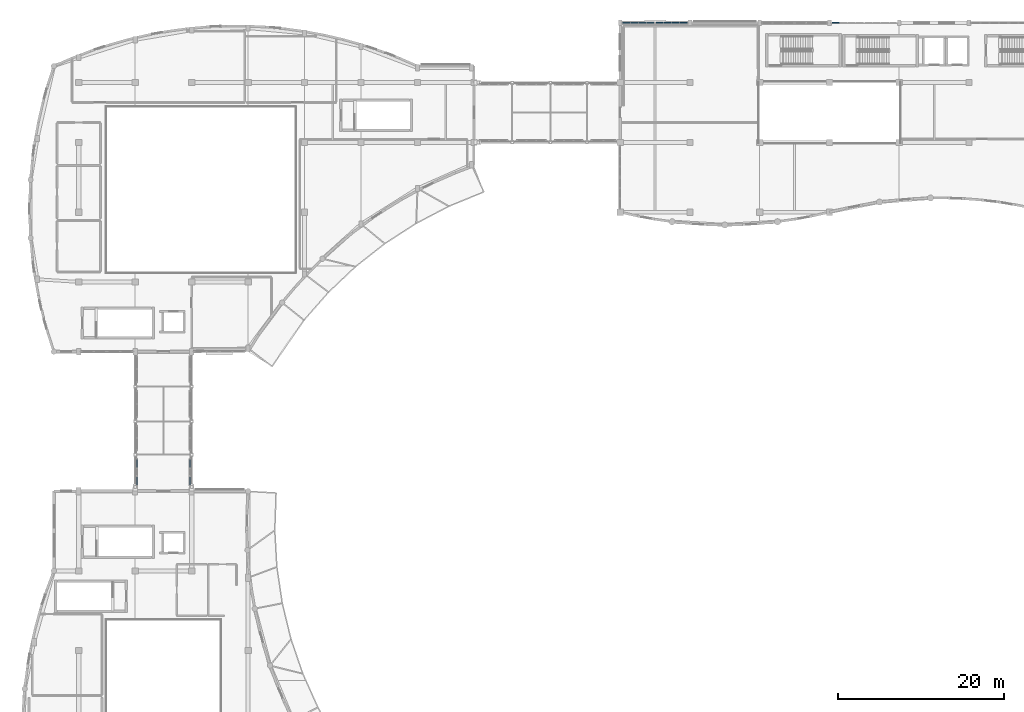
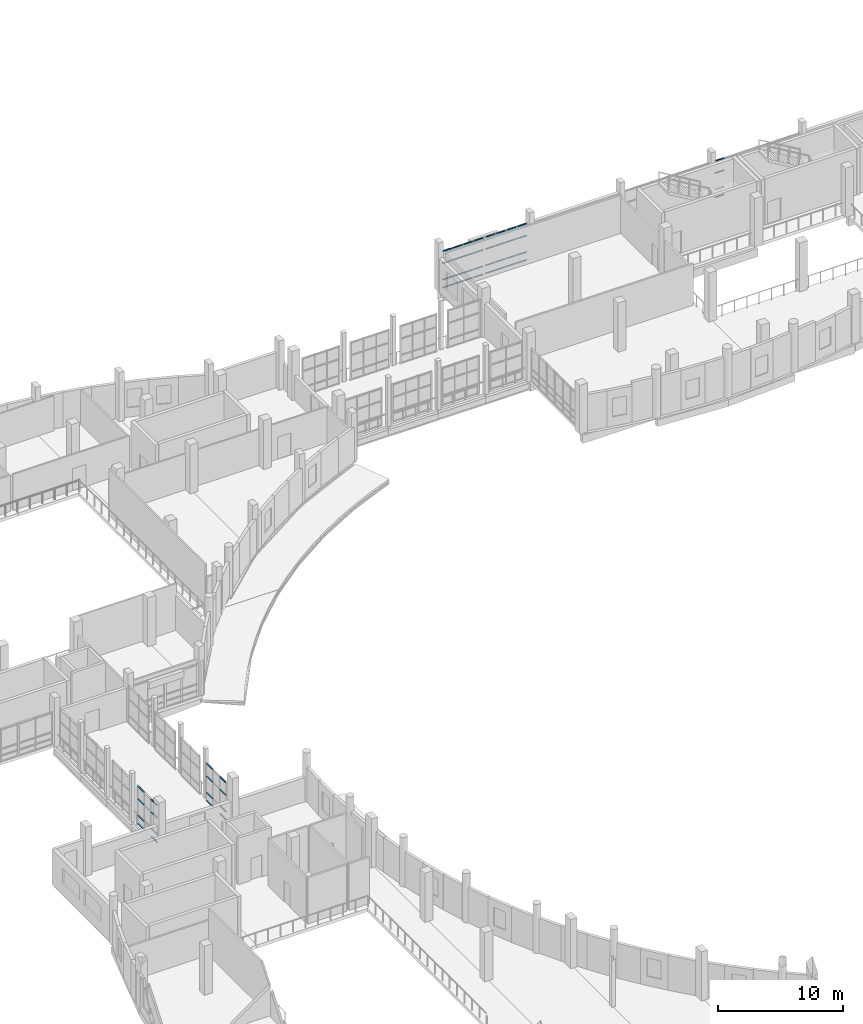
# One storey, part 63 of 106: 52 members, 5 elements without a shape of their own.
"""IFC4 building model written with IfcOpenShell, lengths in metres."""

from ifc_helpers import new_model, si_unit, direction, frame, origin, origin_2d, place, context, subcontext, project, spatial, hollow_rectangle, extrude, material, layer, layer_set, material_profile, profile_set, type_object, element, aggregate, save


model = new_model("IFC4")

# Units and contexts
model_context = context("Model", 3, precision=1e-05, world=origin(), true_north=direction((0.0, 1.0)))
body_context = subcontext(model_context, "Body", "Model", "MODEL_VIEW")
ifc_project = project(units=[si_unit("LENGTHUNIT", "METRE"), si_unit("AREAUNIT", "SQUARE_METRE"), si_unit("VOLUMEUNIT", "CUBIC_METRE"), si_unit("PLANEANGLEUNIT", "RADIAN"), si_unit("MASSUNIT", "GRAM", prefix="KILO")], contexts=[model_context])

# Site, building, storey
site_placement = place(None, origin())
site = spatial("IfcSite", under=ifc_project, at=site_placement, CompositionType="ELEMENT")
building_placement = place(site_placement, origin())
building = spatial("IfcBuilding", under=site, at=building_placement, Name="Kisaragi Civic Commons", CompositionType="ELEMENT")
storey_placement = place(building_placement, frame((0.0, 0.0, 4.800048828125)))
storey = spatial("IfcBuildingStorey", under=building, at=storey_placement, Name="L01", CompositionType="ELEMENT", Elevation=4.800048828125)

# Curtain wall, members
ifc_material = material(Name="Thermally broken anodized aluminium and low-E double glazing", Category="aluminium")
ifc_layer_1 = layer(ifc_material, 0.179931640625, Name="Thermally broken anodized aluminium and low-E double glazing", Category="aluminium")
ifc_layer_set_1 = layer_set([ifc_layer_1], Name="Thermally broken anodized aluminium and low-E double glazing")
curtain_wall_type_1 = type_object("IfcCurtainWallType", Name="CW-01", PredefinedType="NOTDEFINED", material=ifc_layer_set_1)
curtain_wall_1_placement = place(storey_placement, origin())
curtain_wall_1 = element("IfcCurtainWall", 1, at=curtain_wall_1_placement, inside=storey, type_object=curtain_wall_type_1, Name="L01 curtain wall CW-01 CW-V4-L01-059", PredefinedType="NOTDEFINED")
ifc_material_profile = material_profile(ifc_material, hollow_rectangle(XDim=0.139892578125, YDim=0.06494140625, WallThickness=0.00439453125, InnerFilletRadius=0.00439453125, OuterFilletRadius=0.009033203125, at=origin_2d()), Name="CWT-65x140x4.5", Category="aluminium")
ifc_profile_set = profile_set([ifc_material_profile], Name="Thermally broken anodized aluminium and low-E double glazing")
member_type = type_object("IfcMemberType", Name="CWT-02", PredefinedType="USERDEFINED", material=ifc_profile_set)
member_1_placement = place(storey_placement, frame((72.304931640625, 118.800048828125, 0.070068359375), z_axis=(1.0, 0.0, 0.0), x_axis=(0.0, 1.0, 0.0)))
member_1 = element("IfcMember", 2, at=member_1_placement, type_object=member_type, Name="CW-01 transom 1.1", ObjectType="TRANSOM", PredefinedType="USERDEFINED", context=body_context, shape_type="SweptSolid", body=[
    extrude(hollow_rectangle(XDim=0.139892578125, YDim=0.06494140625, WallThickness=0.00439453125, InnerFilletRadius=0.00439453125, OuterFilletRadius=0.009033203125, at=origin_2d()), origin(), (0.0, 0.0, 1.0), 0.882568359375),
])
member_2_placement = place(storey_placement, frame((72.304931640625, 118.800048828125, 0.849853515625), z_axis=(1.0, 0.0, 0.0), x_axis=(0.0, 1.0, 0.0)))
member_2 = element("IfcMember", 3, at=member_2_placement, type_object=member_type, Name="CW-01 transom 1.2", ObjectType="TRANSOM", PredefinedType="USERDEFINED", context=body_context, shape_type="SweptSolid", body=[
    extrude(hollow_rectangle(XDim=0.139892578125, YDim=0.06494140625, WallThickness=0.00439453125, InnerFilletRadius=0.00439453125, OuterFilletRadius=0.009033203125, at=origin_2d()), origin(), (0.0, 0.0, 1.0), 0.882568359375),
])
member_3_placement = place(storey_placement, frame((72.304931640625, 118.800048828125, 2.449951171875), z_axis=(1.0, 0.0, 0.0), x_axis=(0.0, 1.0, 0.0)))
member_3 = element("IfcMember", 4, at=member_3_placement, type_object=member_type, Name="CW-01 transom 1.3", ObjectType="TRANSOM", PredefinedType="USERDEFINED", context=body_context, shape_type="SweptSolid", body=[
    extrude(hollow_rectangle(XDim=0.139892578125, YDim=0.06494140625, WallThickness=0.00439453125, InnerFilletRadius=0.00439453125, OuterFilletRadius=0.009033203125, at=origin_2d()), origin(), (0.0, 0.0, 1.0), 0.882568359375),
])
member_4_placement = place(storey_placement, frame((72.304931640625, 118.800048828125, 3.635009765625), z_axis=(1.0, 0.0, 0.0), x_axis=(0.0, 1.0, 0.0)))
member_4 = element("IfcMember", 5, at=member_4_placement, type_object=member_type, Name="CW-01 transom 1.4", ObjectType="TRANSOM", PredefinedType="USERDEFINED", context=body_context, shape_type="SweptSolid", body=[
    extrude(hollow_rectangle(XDim=0.139892578125, YDim=0.06494140625, WallThickness=0.00439453125, InnerFilletRadius=0.00439453125, OuterFilletRadius=0.009033203125, at=origin_2d()), origin(), (0.0, 0.0, 1.0), 0.882568359375),
])
member_5_placement = place(storey_placement, frame((73.25244140625, 118.800048828125, 0.070068359375), z_axis=(1.0, 0.0, 0.0), x_axis=(0.0, 1.0, 0.0)))
member_5 = element("IfcMember", 6, at=member_5_placement, type_object=member_type, Name="CW-01 transom 2.1", ObjectType="TRANSOM", PredefinedType="USERDEFINED", context=body_context, shape_type="SweptSolid", body=[
    extrude(hollow_rectangle(XDim=0.139892578125, YDim=0.06494140625, WallThickness=0.00439453125, InnerFilletRadius=0.00439453125, OuterFilletRadius=0.009033203125, at=origin_2d()), origin(), (0.0, 0.0, 1.0), 0.9150390625),
])
member_6_placement = place(storey_placement, frame((73.25244140625, 118.800048828125, 0.849853515625), z_axis=(1.0, 0.0, 0.0), x_axis=(0.0, 1.0, 0.0)))
member_6 = element("IfcMember", 7, at=member_6_placement, type_object=member_type, Name="CW-01 transom 2.2", ObjectType="TRANSOM", PredefinedType="USERDEFINED", context=body_context, shape_type="SweptSolid", body=[
    extrude(hollow_rectangle(XDim=0.139892578125, YDim=0.06494140625, WallThickness=0.00439453125, InnerFilletRadius=0.00439453125, OuterFilletRadius=0.009033203125, at=origin_2d()), origin(), (0.0, 0.0, 1.0), 0.9150390625),
])
member_7_placement = place(storey_placement, frame((73.25244140625, 118.800048828125, 2.449951171875), z_axis=(1.0, 0.0, 0.0), x_axis=(0.0, 1.0, 0.0)))
member_7 = element("IfcMember", 8, at=member_7_placement, type_object=member_type, Name="CW-01 transom 2.3", ObjectType="TRANSOM", PredefinedType="USERDEFINED", context=body_context, shape_type="SweptSolid", body=[
    extrude(hollow_rectangle(XDim=0.139892578125, YDim=0.06494140625, WallThickness=0.00439453125, InnerFilletRadius=0.00439453125, OuterFilletRadius=0.009033203125, at=origin_2d()), origin(), (0.0, 0.0, 1.0), 0.9150390625),
])
member_8_placement = place(storey_placement, frame((73.25244140625, 118.800048828125, 3.635009765625), z_axis=(1.0, 0.0, 0.0), x_axis=(0.0, 1.0, 0.0)))
member_8 = element("IfcMember", 9, at=member_8_placement, type_object=member_type, Name="CW-01 transom 2.4", ObjectType="TRANSOM", PredefinedType="USERDEFINED", context=body_context, shape_type="SweptSolid", body=[
    extrude(hollow_rectangle(XDim=0.139892578125, YDim=0.06494140625, WallThickness=0.00439453125, InnerFilletRadius=0.00439453125, OuterFilletRadius=0.009033203125, at=origin_2d()), origin(), (0.0, 0.0, 1.0), 0.9150390625),
])
member_9_placement = place(storey_placement, frame((74.232421875, 118.800048828125, 0.070068359375), z_axis=(1.0, 0.0, 0.0), x_axis=(0.0, 1.0, 0.0)))
member_9 = element("IfcMember", 10, at=member_9_placement, type_object=member_type, Name="CW-01 transom 3.1", ObjectType="TRANSOM", PredefinedType="USERDEFINED", context=body_context, shape_type="SweptSolid", body=[
    extrude(hollow_rectangle(XDim=0.139892578125, YDim=0.06494140625, WallThickness=0.00439453125, InnerFilletRadius=0.00439453125, OuterFilletRadius=0.009033203125, at=origin_2d()), origin(), (0.0, 0.0, 1.0), 0.9150390625),
])
member_10_placement = place(storey_placement, frame((74.232421875, 118.800048828125, 0.849853515625), z_axis=(1.0, 0.0, 0.0), x_axis=(0.0, 1.0, 0.0)))
member_10 = element("IfcMember", 11, at=member_10_placement, type_object=member_type, Name="CW-01 transom 3.2", ObjectType="TRANSOM", PredefinedType="USERDEFINED", context=body_context, shape_type="SweptSolid", body=[
    extrude(hollow_rectangle(XDim=0.139892578125, YDim=0.06494140625, WallThickness=0.00439453125, InnerFilletRadius=0.00439453125, OuterFilletRadius=0.009033203125, at=origin_2d()), origin(), (0.0, 0.0, 1.0), 0.9150390625),
])
member_11_placement = place(storey_placement, frame((74.232421875, 118.800048828125, 2.449951171875), z_axis=(1.0, 0.0, 0.0), x_axis=(0.0, 1.0, 0.0)))
member_11 = element("IfcMember", 12, at=member_11_placement, type_object=member_type, Name="CW-01 transom 3.3", ObjectType="TRANSOM", PredefinedType="USERDEFINED", context=body_context, shape_type="SweptSolid", body=[
    extrude(hollow_rectangle(XDim=0.139892578125, YDim=0.06494140625, WallThickness=0.00439453125, InnerFilletRadius=0.00439453125, OuterFilletRadius=0.009033203125, at=origin_2d()), origin(), (0.0, 0.0, 1.0), 0.9150390625),
])
member_12_placement = place(storey_placement, frame((74.232421875, 118.800048828125, 3.635009765625), z_axis=(1.0, 0.0, 0.0), x_axis=(0.0, 1.0, 0.0)))
member_12 = element("IfcMember", 13, at=member_12_placement, type_object=member_type, Name="CW-01 transom 3.4", ObjectType="TRANSOM", PredefinedType="USERDEFINED", context=body_context, shape_type="SweptSolid", body=[
    extrude(hollow_rectangle(XDim=0.139892578125, YDim=0.06494140625, WallThickness=0.00439453125, InnerFilletRadius=0.00439453125, OuterFilletRadius=0.009033203125, at=origin_2d()), origin(), (0.0, 0.0, 1.0), 0.9150390625),
])
member_13_placement = place(storey_placement, frame((75.21240234375, 118.800048828125, 0.070068359375), z_axis=(1.0, 0.0, 0.0), x_axis=(0.0, 1.0, 0.0)))
member_13 = element("IfcMember", 14, at=member_13_placement, type_object=member_type, Name="CW-01 transom 4.1", ObjectType="TRANSOM", PredefinedType="USERDEFINED", context=body_context, shape_type="SweptSolid", body=[
    extrude(hollow_rectangle(XDim=0.139892578125, YDim=0.06494140625, WallThickness=0.00439453125, InnerFilletRadius=0.00439453125, OuterFilletRadius=0.009033203125, at=origin_2d()), origin(), (0.0, 0.0, 1.0), 0.882568359375),
])
member_14_placement = place(storey_placement, frame((75.21240234375, 118.800048828125, 0.849853515625), z_axis=(1.0, 0.0, 0.0), x_axis=(0.0, 1.0, 0.0)))
member_14 = element("IfcMember", 15, at=member_14_placement, type_object=member_type, Name="CW-01 transom 4.2", ObjectType="TRANSOM", PredefinedType="USERDEFINED", context=body_context, shape_type="SweptSolid", body=[
    extrude(hollow_rectangle(XDim=0.139892578125, YDim=0.06494140625, WallThickness=0.00439453125, InnerFilletRadius=0.00439453125, OuterFilletRadius=0.009033203125, at=origin_2d()), origin(), (0.0, 0.0, 1.0), 0.882568359375),
])
member_15_placement = place(storey_placement, frame((75.21240234375, 118.800048828125, 2.449951171875), z_axis=(1.0, 0.0, 0.0), x_axis=(0.0, 1.0, 0.0)))
member_15 = element("IfcMember", 16, at=member_15_placement, type_object=member_type, Name="CW-01 transom 4.3", ObjectType="TRANSOM", PredefinedType="USERDEFINED", context=body_context, shape_type="SweptSolid", body=[
    extrude(hollow_rectangle(XDim=0.139892578125, YDim=0.06494140625, WallThickness=0.00439453125, InnerFilletRadius=0.00439453125, OuterFilletRadius=0.009033203125, at=origin_2d()), origin(), (0.0, 0.0, 1.0), 0.882568359375),
])
member_16_placement = place(storey_placement, frame((75.21240234375, 118.800048828125, 3.635009765625), z_axis=(1.0, 0.0, 0.0), x_axis=(0.0, 1.0, 0.0)))
member_16 = element("IfcMember", 17, at=member_16_placement, type_object=member_type, Name="CW-01 transom 4.4", ObjectType="TRANSOM", PredefinedType="USERDEFINED", context=body_context, shape_type="SweptSolid", body=[
    extrude(hollow_rectangle(XDim=0.139892578125, YDim=0.06494140625, WallThickness=0.00439453125, InnerFilletRadius=0.00439453125, OuterFilletRadius=0.009033203125, at=origin_2d()), origin(), (0.0, 0.0, 1.0), 0.882568359375),
])
aggregate(curtain_wall_1, [member_1, member_2, member_3, member_4, member_5, member_6, member_7, member_8, member_9, member_10, member_11, member_12, member_13, member_14, member_15, member_16])

curtain_wall_2_placement = place(storey_placement, origin())
curtain_wall_2 = element("IfcCurtainWall", 18, at=curtain_wall_2_placement, inside=storey, type_object=curtain_wall_type_1, Name="L01 curtain wall CW-01 CW-V4-L01-060", PredefinedType="NOTDEFINED")
member_17_placement = place(storey_placement, frame((76.304931640625, 118.800048828125, 0.070068359375), z_axis=(1.0, 0.0, 0.0), x_axis=(0.0, 1.0, 0.0)))
member_17 = element("IfcMember", 19, at=member_17_placement, type_object=member_type, Name="CW-01 transom 1.1", ObjectType="TRANSOM", PredefinedType="USERDEFINED", context=body_context, shape_type="SweptSolid", body=[
    extrude(hollow_rectangle(XDim=0.139892578125, YDim=0.06494140625, WallThickness=0.00439453125, InnerFilletRadius=0.00439453125, OuterFilletRadius=0.009033203125, at=origin_2d()), origin(), (0.0, 0.0, 1.0), 0.882568359375),
])
member_18_placement = place(storey_placement, frame((76.304931640625, 118.800048828125, 0.849853515625), z_axis=(1.0, 0.0, 0.0), x_axis=(0.0, 1.0, 0.0)))
member_18 = element("IfcMember", 20, at=member_18_placement, type_object=member_type, Name="CW-01 transom 1.2", ObjectType="TRANSOM", PredefinedType="USERDEFINED", context=body_context, shape_type="SweptSolid", body=[
    extrude(hollow_rectangle(XDim=0.139892578125, YDim=0.06494140625, WallThickness=0.00439453125, InnerFilletRadius=0.00439453125, OuterFilletRadius=0.009033203125, at=origin_2d()), origin(), (0.0, 0.0, 1.0), 0.882568359375),
])
member_19_placement = place(storey_placement, frame((76.304931640625, 118.800048828125, 2.449951171875), z_axis=(1.0, 0.0, 0.0), x_axis=(0.0, 1.0, 0.0)))
member_19 = element("IfcMember", 21, at=member_19_placement, type_object=member_type, Name="CW-01 transom 1.3", ObjectType="TRANSOM", PredefinedType="USERDEFINED", context=body_context, shape_type="SweptSolid", body=[
    extrude(hollow_rectangle(XDim=0.139892578125, YDim=0.06494140625, WallThickness=0.00439453125, InnerFilletRadius=0.00439453125, OuterFilletRadius=0.009033203125, at=origin_2d()), origin(), (0.0, 0.0, 1.0), 0.882568359375),
])
member_20_placement = place(storey_placement, frame((76.304931640625, 118.800048828125, 3.635009765625), z_axis=(1.0, 0.0, 0.0), x_axis=(0.0, 1.0, 0.0)))
member_20 = element("IfcMember", 22, at=member_20_placement, type_object=member_type, Name="CW-01 transom 1.4", ObjectType="TRANSOM", PredefinedType="USERDEFINED", context=body_context, shape_type="SweptSolid", body=[
    extrude(hollow_rectangle(XDim=0.139892578125, YDim=0.06494140625, WallThickness=0.00439453125, InnerFilletRadius=0.00439453125, OuterFilletRadius=0.009033203125, at=origin_2d()), origin(), (0.0, 0.0, 1.0), 0.882568359375),
])
member_21_placement = place(storey_placement, frame((77.25244140625, 118.800048828125, 0.070068359375), z_axis=(1.0, 0.0, 0.0), x_axis=(0.0, 1.0, 0.0)))
member_21 = element("IfcMember", 23, at=member_21_placement, type_object=member_type, Name="CW-01 transom 2.1", ObjectType="TRANSOM", PredefinedType="USERDEFINED", context=body_context, shape_type="SweptSolid", body=[
    extrude(hollow_rectangle(XDim=0.139892578125, YDim=0.06494140625, WallThickness=0.00439453125, InnerFilletRadius=0.00439453125, OuterFilletRadius=0.009033203125, at=origin_2d()), origin(), (0.0, 0.0, 1.0), 0.9150390625),
])
member_22_placement = place(storey_placement, frame((77.25244140625, 118.800048828125, 0.849853515625), z_axis=(1.0, 0.0, 0.0), x_axis=(0.0, 1.0, 0.0)))
member_22 = element("IfcMember", 24, at=member_22_placement, type_object=member_type, Name="CW-01 transom 2.2", ObjectType="TRANSOM", PredefinedType="USERDEFINED", context=body_context, shape_type="SweptSolid", body=[
    extrude(hollow_rectangle(XDim=0.139892578125, YDim=0.06494140625, WallThickness=0.00439453125, InnerFilletRadius=0.00439453125, OuterFilletRadius=0.009033203125, at=origin_2d()), origin(), (0.0, 0.0, 1.0), 0.9150390625),
])
member_23_placement = place(storey_placement, frame((77.25244140625, 118.800048828125, 2.449951171875), z_axis=(1.0, 0.0, 0.0), x_axis=(0.0, 1.0, 0.0)))
member_23 = element("IfcMember", 25, at=member_23_placement, type_object=member_type, Name="CW-01 transom 2.3", ObjectType="TRANSOM", PredefinedType="USERDEFINED", context=body_context, shape_type="SweptSolid", body=[
    extrude(hollow_rectangle(XDim=0.139892578125, YDim=0.06494140625, WallThickness=0.00439453125, InnerFilletRadius=0.00439453125, OuterFilletRadius=0.009033203125, at=origin_2d()), origin(), (0.0, 0.0, 1.0), 0.9150390625),
])
member_24_placement = place(storey_placement, frame((77.25244140625, 118.800048828125, 3.635009765625), z_axis=(1.0, 0.0, 0.0), x_axis=(0.0, 1.0, 0.0)))
member_24 = element("IfcMember", 26, at=member_24_placement, type_object=member_type, Name="CW-01 transom 2.4", ObjectType="TRANSOM", PredefinedType="USERDEFINED", context=body_context, shape_type="SweptSolid", body=[
    extrude(hollow_rectangle(XDim=0.139892578125, YDim=0.06494140625, WallThickness=0.00439453125, InnerFilletRadius=0.00439453125, OuterFilletRadius=0.009033203125, at=origin_2d()), origin(), (0.0, 0.0, 1.0), 0.9150390625),
])
member_25_placement = place(storey_placement, frame((78.232421875, 118.800048828125, 0.070068359375), z_axis=(1.0, 0.0, 0.0), x_axis=(0.0, 1.0, 0.0)))
member_25 = element("IfcMember", 27, at=member_25_placement, type_object=member_type, Name="CW-01 transom 3.1", ObjectType="TRANSOM", PredefinedType="USERDEFINED", context=body_context, shape_type="SweptSolid", body=[
    extrude(hollow_rectangle(XDim=0.139892578125, YDim=0.06494140625, WallThickness=0.00439453125, InnerFilletRadius=0.00439453125, OuterFilletRadius=0.009033203125, at=origin_2d()), origin(), (0.0, 0.0, 1.0), 0.9150390625),
])
member_26_placement = place(storey_placement, frame((78.232421875, 118.800048828125, 0.849853515625), z_axis=(1.0, 0.0, 0.0), x_axis=(0.0, 1.0, 0.0)))
member_26 = element("IfcMember", 28, at=member_26_placement, type_object=member_type, Name="CW-01 transom 3.2", ObjectType="TRANSOM", PredefinedType="USERDEFINED", context=body_context, shape_type="SweptSolid", body=[
    extrude(hollow_rectangle(XDim=0.139892578125, YDim=0.06494140625, WallThickness=0.00439453125, InnerFilletRadius=0.00439453125, OuterFilletRadius=0.009033203125, at=origin_2d()), origin(), (0.0, 0.0, 1.0), 0.9150390625),
])
member_27_placement = place(storey_placement, frame((78.232421875, 118.800048828125, 2.449951171875), z_axis=(1.0, 0.0, 0.0), x_axis=(0.0, 1.0, 0.0)))
member_27 = element("IfcMember", 29, at=member_27_placement, type_object=member_type, Name="CW-01 transom 3.3", ObjectType="TRANSOM", PredefinedType="USERDEFINED", context=body_context, shape_type="SweptSolid", body=[
    extrude(hollow_rectangle(XDim=0.139892578125, YDim=0.06494140625, WallThickness=0.00439453125, InnerFilletRadius=0.00439453125, OuterFilletRadius=0.009033203125, at=origin_2d()), origin(), (0.0, 0.0, 1.0), 0.9150390625),
])
member_28_placement = place(storey_placement, frame((78.232421875, 118.800048828125, 3.635009765625), z_axis=(1.0, 0.0, 0.0), x_axis=(0.0, 1.0, 0.0)))
member_28 = element("IfcMember", 30, at=member_28_placement, type_object=member_type, Name="CW-01 transom 3.4", ObjectType="TRANSOM", PredefinedType="USERDEFINED", context=body_context, shape_type="SweptSolid", body=[
    extrude(hollow_rectangle(XDim=0.139892578125, YDim=0.06494140625, WallThickness=0.00439453125, InnerFilletRadius=0.00439453125, OuterFilletRadius=0.009033203125, at=origin_2d()), origin(), (0.0, 0.0, 1.0), 0.9150390625),
])
member_29_placement = place(storey_placement, frame((79.21240234375, 118.800048828125, 0.070068359375), z_axis=(1.0, 0.0, 0.0), x_axis=(0.0, 1.0, 0.0)))
member_29 = element("IfcMember", 31, at=member_29_placement, type_object=member_type, Name="CW-01 transom 4.1", ObjectType="TRANSOM", PredefinedType="USERDEFINED", context=body_context, shape_type="SweptSolid", body=[
    extrude(hollow_rectangle(XDim=0.139892578125, YDim=0.06494140625, WallThickness=0.00439453125, InnerFilletRadius=0.00439453125, OuterFilletRadius=0.009033203125, at=origin_2d()), origin(), (0.0, 0.0, 1.0), 0.882568359375),
])
member_30_placement = place(storey_placement, frame((79.21240234375, 118.800048828125, 0.849853515625), z_axis=(1.0, 0.0, 0.0), x_axis=(0.0, 1.0, 0.0)))
member_30 = element("IfcMember", 32, at=member_30_placement, type_object=member_type, Name="CW-01 transom 4.2", ObjectType="TRANSOM", PredefinedType="USERDEFINED", context=body_context, shape_type="SweptSolid", body=[
    extrude(hollow_rectangle(XDim=0.139892578125, YDim=0.06494140625, WallThickness=0.00439453125, InnerFilletRadius=0.00439453125, OuterFilletRadius=0.009033203125, at=origin_2d()), origin(), (0.0, 0.0, 1.0), 0.882568359375),
])
member_31_placement = place(storey_placement, frame((79.21240234375, 118.800048828125, 2.449951171875), z_axis=(1.0, 0.0, 0.0), x_axis=(0.0, 1.0, 0.0)))
member_31 = element("IfcMember", 33, at=member_31_placement, type_object=member_type, Name="CW-01 transom 4.3", ObjectType="TRANSOM", PredefinedType="USERDEFINED", context=body_context, shape_type="SweptSolid", body=[
    extrude(hollow_rectangle(XDim=0.139892578125, YDim=0.06494140625, WallThickness=0.00439453125, InnerFilletRadius=0.00439453125, OuterFilletRadius=0.009033203125, at=origin_2d()), origin(), (0.0, 0.0, 1.0), 0.882568359375),
])
member_32_placement = place(storey_placement, frame((79.21240234375, 118.800048828125, 3.635009765625), z_axis=(1.0, 0.0, 0.0), x_axis=(0.0, 1.0, 0.0)))
member_32 = element("IfcMember", 34, at=member_32_placement, type_object=member_type, Name="CW-01 transom 4.4", ObjectType="TRANSOM", PredefinedType="USERDEFINED", context=body_context, shape_type="SweptSolid", body=[
    extrude(hollow_rectangle(XDim=0.139892578125, YDim=0.06494140625, WallThickness=0.00439453125, InnerFilletRadius=0.00439453125, OuterFilletRadius=0.009033203125, at=origin_2d()), origin(), (0.0, 0.0, 1.0), 0.882568359375),
])
aggregate(curtain_wall_2, [member_17, member_18, member_19, member_20, member_21, member_22, member_23, member_24, member_25, member_26, member_27, member_28, member_29, member_30, member_31, member_32])

curtain_wall_3_placement = place(storey_placement, origin())
curtain_wall_3 = element("IfcCurtainWall", 35, at=curtain_wall_3_placement, inside=storey, type_object=curtain_wall_type_1, Name="L01 curtain wall CW-01 CW-V4-L01-063", PredefinedType="NOTDEFINED")
member_33_placement = place(storey_placement, frame((97.5048828125, 118.800048828125, 0.070068359375), z_axis=(1.0, 0.0, 0.0), x_axis=(0.0, 1.0, 0.0)))
member_33 = element("IfcMember", 36, at=member_33_placement, type_object=member_type, Name="CW-01 transom 1.1", ObjectType="TRANSOM", PredefinedType="USERDEFINED", context=body_context, shape_type="SweptSolid", body=[
    extrude(hollow_rectangle(XDim=0.139892578125, YDim=0.06494140625, WallThickness=0.00439453125, InnerFilletRadius=0.00439453125, OuterFilletRadius=0.009033203125, at=origin_2d()), origin(), (0.0, 0.0, 1.0), 0.882568359375),
])
member_34_placement = place(storey_placement, frame((97.5048828125, 118.800048828125, 0.849853515625), z_axis=(1.0, 0.0, 0.0), x_axis=(0.0, 1.0, 0.0)))
member_34 = element("IfcMember", 37, at=member_34_placement, type_object=member_type, Name="CW-01 transom 1.2", ObjectType="TRANSOM", PredefinedType="USERDEFINED", context=body_context, shape_type="SweptSolid", body=[
    extrude(hollow_rectangle(XDim=0.139892578125, YDim=0.06494140625, WallThickness=0.00439453125, InnerFilletRadius=0.00439453125, OuterFilletRadius=0.009033203125, at=origin_2d()), origin(), (0.0, 0.0, 1.0), 0.882568359375),
])
member_35_placement = place(storey_placement, frame((97.5048828125, 118.800048828125, 2.449951171875), z_axis=(1.0, 0.0, 0.0), x_axis=(0.0, 1.0, 0.0)))
member_35 = element("IfcMember", 38, at=member_35_placement, type_object=member_type, Name="CW-01 transom 1.3", ObjectType="TRANSOM", PredefinedType="USERDEFINED", context=body_context, shape_type="SweptSolid", body=[
    extrude(hollow_rectangle(XDim=0.139892578125, YDim=0.06494140625, WallThickness=0.00439453125, InnerFilletRadius=0.00439453125, OuterFilletRadius=0.009033203125, at=origin_2d()), origin(), (0.0, 0.0, 1.0), 0.882568359375),
])
member_36_placement = place(storey_placement, frame((97.5048828125, 118.800048828125, 3.635009765625), z_axis=(1.0, 0.0, 0.0), x_axis=(0.0, 1.0, 0.0)))
member_36 = element("IfcMember", 39, at=member_36_placement, type_object=member_type, Name="CW-01 transom 1.4", ObjectType="TRANSOM", PredefinedType="USERDEFINED", context=body_context, shape_type="SweptSolid", body=[
    extrude(hollow_rectangle(XDim=0.139892578125, YDim=0.06494140625, WallThickness=0.00439453125, InnerFilletRadius=0.00439453125, OuterFilletRadius=0.009033203125, at=origin_2d()), origin(), (0.0, 0.0, 1.0), 0.882568359375),
])
aggregate(curtain_wall_3, [member_33, member_34, member_35, member_36])

ifc_layer_2 = layer(ifc_material, 0.179931640625, Name="Thermally broken anodized aluminium and low-E double glazing", Category="aluminium")
ifc_layer_set_2 = layer_set([ifc_layer_2], Name="Thermally broken anodized aluminium and low-E double glazing")
curtain_wall_type_2 = type_object("IfcCurtainWallType", Name="CW-04", PredefinedType="NOTDEFINED", material=ifc_layer_set_2)
curtain_wall_4_placement = place(storey_placement, origin())
curtain_wall_4 = element("IfcCurtainWall", 40, at=curtain_wall_4_placement, inside=storey, type_object=curtain_wall_type_2, Name="L01 curtain wall CW-04 CW-BR-125", PredefinedType="NOTDEFINED")
member_37_placement = place(storey_placement, frame((13.820068359375, 63.135009765625, 0.070068359375), z_axis=(0.0, 1.0, 0.0), x_axis=(-1.0, 0.0, 0.0)))
member_37 = element("IfcMember", 41, at=member_37_placement, type_object=member_type, Name="CW-04 transom 1.1", ObjectType="TRANSOM", PredefinedType="USERDEFINED", context=body_context, shape_type="SweptSolid", body=[
    extrude(hollow_rectangle(XDim=0.139892578125, YDim=0.06494140625, WallThickness=0.00439453125, InnerFilletRadius=0.00439453125, OuterFilletRadius=0.009033203125, at=origin_2d()), origin(), (0.0, 0.0, 1.0), 0.972412109375),
])
member_38_placement = place(storey_placement, frame((13.820068359375, 63.135009765625, 0.849853515625), z_axis=(0.0, 1.0, 0.0), x_axis=(-1.0, 0.0, 0.0)))
member_38 = element("IfcMember", 42, at=member_38_placement, type_object=member_type, Name="CW-04 transom 1.2", ObjectType="TRANSOM", PredefinedType="USERDEFINED", context=body_context, shape_type="SweptSolid", body=[
    extrude(hollow_rectangle(XDim=0.139892578125, YDim=0.06494140625, WallThickness=0.00439453125, InnerFilletRadius=0.00439453125, OuterFilletRadius=0.009033203125, at=origin_2d()), origin(), (0.0, 0.0, 1.0), 0.972412109375),
])
member_39_placement = place(storey_placement, frame((13.820068359375, 63.135009765625, 2.449951171875), z_axis=(0.0, 1.0, 0.0), x_axis=(-1.0, 0.0, 0.0)))
member_39 = element("IfcMember", 43, at=member_39_placement, type_object=member_type, Name="CW-04 transom 1.3", ObjectType="TRANSOM", PredefinedType="USERDEFINED", context=body_context, shape_type="SweptSolid", body=[
    extrude(hollow_rectangle(XDim=0.139892578125, YDim=0.06494140625, WallThickness=0.00439453125, InnerFilletRadius=0.00439453125, OuterFilletRadius=0.009033203125, at=origin_2d()), origin(), (0.0, 0.0, 1.0), 0.972412109375),
])
member_40_placement = place(storey_placement, frame((13.820068359375, 63.135009765625, 3.68994140625), z_axis=(0.0, 1.0, 0.0), x_axis=(-1.0, 0.0, 0.0)))
member_40 = element("IfcMember", 44, at=member_40_placement, type_object=member_type, Name="CW-04 transom 1.4", ObjectType="TRANSOM", PredefinedType="USERDEFINED", context=body_context, shape_type="SweptSolid", body=[
    extrude(hollow_rectangle(XDim=0.139892578125, YDim=0.06494140625, WallThickness=0.00439453125, InnerFilletRadius=0.00439453125, OuterFilletRadius=0.009033203125, at=origin_2d()), origin(), (0.0, 0.0, 1.0), 0.972412109375),
])
member_41_placement = place(storey_placement, frame((13.820068359375, 65.242431640625, 0.070068359375), z_axis=(0.0, 1.0, 0.0), x_axis=(-1.0, 0.0, 0.0)))
member_41 = element("IfcMember", 45, at=member_41_placement, type_object=member_type, Name="CW-04 transom 3.1", ObjectType="TRANSOM", PredefinedType="USERDEFINED", context=body_context, shape_type="SweptSolid", body=[
    extrude(hollow_rectangle(XDim=0.139892578125, YDim=0.06494140625, WallThickness=0.00439453125, InnerFilletRadius=0.00439453125, OuterFilletRadius=0.009033203125, at=origin_2d()), origin(), (0.0, 0.0, 1.0), 0.97265625),
])
member_42_placement = place(storey_placement, frame((13.820068359375, 65.242431640625, 0.849853515625), z_axis=(0.0, 1.0, 0.0), x_axis=(-1.0, 0.0, 0.0)))
member_42 = element("IfcMember", 46, at=member_42_placement, type_object=member_type, Name="CW-04 transom 3.2", ObjectType="TRANSOM", PredefinedType="USERDEFINED", context=body_context, shape_type="SweptSolid", body=[
    extrude(hollow_rectangle(XDim=0.139892578125, YDim=0.06494140625, WallThickness=0.00439453125, InnerFilletRadius=0.00439453125, OuterFilletRadius=0.009033203125, at=origin_2d()), origin(), (0.0, 0.0, 1.0), 0.97265625),
])
member_43_placement = place(storey_placement, frame((13.820068359375, 65.242431640625, 2.449951171875), z_axis=(0.0, 1.0, 0.0), x_axis=(-1.0, 0.0, 0.0)))
member_43 = element("IfcMember", 47, at=member_43_placement, type_object=member_type, Name="CW-04 transom 3.3", ObjectType="TRANSOM", PredefinedType="USERDEFINED", context=body_context, shape_type="SweptSolid", body=[
    extrude(hollow_rectangle(XDim=0.139892578125, YDim=0.06494140625, WallThickness=0.00439453125, InnerFilletRadius=0.00439453125, OuterFilletRadius=0.009033203125, at=origin_2d()), origin(), (0.0, 0.0, 1.0), 0.97265625),
])
member_44_placement = place(storey_placement, frame((13.820068359375, 65.242431640625, 3.68994140625), z_axis=(0.0, 1.0, 0.0), x_axis=(-1.0, 0.0, 0.0)))
member_44 = element("IfcMember", 48, at=member_44_placement, type_object=member_type, Name="CW-04 transom 3.4", ObjectType="TRANSOM", PredefinedType="USERDEFINED", context=body_context, shape_type="SweptSolid", body=[
    extrude(hollow_rectangle(XDim=0.139892578125, YDim=0.06494140625, WallThickness=0.00439453125, InnerFilletRadius=0.00439453125, OuterFilletRadius=0.009033203125, at=origin_2d()), origin(), (0.0, 0.0, 1.0), 0.97265625),
])
aggregate(curtain_wall_4, [member_37, member_38, member_39, member_40, member_41, member_42, member_43, member_44])

curtain_wall_5_placement = place(storey_placement, origin())
curtain_wall_5 = element("IfcCurtainWall", 49, at=curtain_wall_5_placement, inside=storey, type_object=curtain_wall_type_2, Name="L01 curtain wall CW-04 CW-BR-129", PredefinedType="NOTDEFINED")
member_45_placement = place(storey_placement, frame((20.179931640625, 63.135009765625, 0.070068359375), z_axis=(0.0, 1.0, 0.0), x_axis=(-1.0, 0.0, 0.0)))
member_45 = element("IfcMember", 50, at=member_45_placement, type_object=member_type, Name="CW-04 transom 1.1", ObjectType="TRANSOM", PredefinedType="USERDEFINED", context=body_context, shape_type="SweptSolid", body=[
    extrude(hollow_rectangle(XDim=0.139892578125, YDim=0.06494140625, WallThickness=0.00439453125, InnerFilletRadius=0.00439453125, OuterFilletRadius=0.009033203125, at=origin_2d()), origin(), (0.0, 0.0, 1.0), 0.972412109375),
])
member_46_placement = place(storey_placement, frame((20.179931640625, 63.135009765625, 0.849853515625), z_axis=(0.0, 1.0, 0.0), x_axis=(-1.0, 0.0, 0.0)))
member_46 = element("IfcMember", 51, at=member_46_placement, type_object=member_type, Name="CW-04 transom 1.2", ObjectType="TRANSOM", PredefinedType="USERDEFINED", context=body_context, shape_type="SweptSolid", body=[
    extrude(hollow_rectangle(XDim=0.139892578125, YDim=0.06494140625, WallThickness=0.00439453125, InnerFilletRadius=0.00439453125, OuterFilletRadius=0.009033203125, at=origin_2d()), origin(), (0.0, 0.0, 1.0), 0.972412109375),
])
member_47_placement = place(storey_placement, frame((20.179931640625, 63.135009765625, 2.449951171875), z_axis=(0.0, 1.0, 0.0), x_axis=(-1.0, 0.0, 0.0)))
member_47 = element("IfcMember", 52, at=member_47_placement, type_object=member_type, Name="CW-04 transom 1.3", ObjectType="TRANSOM", PredefinedType="USERDEFINED", context=body_context, shape_type="SweptSolid", body=[
    extrude(hollow_rectangle(XDim=0.139892578125, YDim=0.06494140625, WallThickness=0.00439453125, InnerFilletRadius=0.00439453125, OuterFilletRadius=0.009033203125, at=origin_2d()), origin(), (0.0, 0.0, 1.0), 0.972412109375),
])
member_48_placement = place(storey_placement, frame((20.179931640625, 63.135009765625, 3.68994140625), z_axis=(0.0, 1.0, 0.0), x_axis=(-1.0, 0.0, 0.0)))
member_48 = element("IfcMember", 53, at=member_48_placement, type_object=member_type, Name="CW-04 transom 1.4", ObjectType="TRANSOM", PredefinedType="USERDEFINED", context=body_context, shape_type="SweptSolid", body=[
    extrude(hollow_rectangle(XDim=0.139892578125, YDim=0.06494140625, WallThickness=0.00439453125, InnerFilletRadius=0.00439453125, OuterFilletRadius=0.009033203125, at=origin_2d()), origin(), (0.0, 0.0, 1.0), 0.972412109375),
])
member_49_placement = place(storey_placement, frame((20.179931640625, 65.242431640625, 0.070068359375), z_axis=(0.0, 1.0, 0.0), x_axis=(-1.0, 0.0, 0.0)))
member_49 = element("IfcMember", 54, at=member_49_placement, type_object=member_type, Name="CW-04 transom 3.1", ObjectType="TRANSOM", PredefinedType="USERDEFINED", context=body_context, shape_type="SweptSolid", body=[
    extrude(hollow_rectangle(XDim=0.139892578125, YDim=0.06494140625, WallThickness=0.00439453125, InnerFilletRadius=0.00439453125, OuterFilletRadius=0.009033203125, at=origin_2d()), origin(), (0.0, 0.0, 1.0), 0.97265625),
])
member_50_placement = place(storey_placement, frame((20.179931640625, 65.242431640625, 0.849853515625), z_axis=(0.0, 1.0, 0.0), x_axis=(-1.0, 0.0, 0.0)))
member_50 = element("IfcMember", 55, at=member_50_placement, type_object=member_type, Name="CW-04 transom 3.2", ObjectType="TRANSOM", PredefinedType="USERDEFINED", context=body_context, shape_type="SweptSolid", body=[
    extrude(hollow_rectangle(XDim=0.139892578125, YDim=0.06494140625, WallThickness=0.00439453125, InnerFilletRadius=0.00439453125, OuterFilletRadius=0.009033203125, at=origin_2d()), origin(), (0.0, 0.0, 1.0), 0.97265625),
])
member_51_placement = place(storey_placement, frame((20.179931640625, 65.242431640625, 2.449951171875), z_axis=(0.0, 1.0, 0.0), x_axis=(-1.0, 0.0, 0.0)))
member_51 = element("IfcMember", 56, at=member_51_placement, type_object=member_type, Name="CW-04 transom 3.3", ObjectType="TRANSOM", PredefinedType="USERDEFINED", context=body_context, shape_type="SweptSolid", body=[
    extrude(hollow_rectangle(XDim=0.139892578125, YDim=0.06494140625, WallThickness=0.00439453125, InnerFilletRadius=0.00439453125, OuterFilletRadius=0.009033203125, at=origin_2d()), origin(), (0.0, 0.0, 1.0), 0.97265625),
])
member_52_placement = place(storey_placement, frame((20.179931640625, 65.242431640625, 3.68994140625), z_axis=(0.0, 1.0, 0.0), x_axis=(-1.0, 0.0, 0.0)))
member_52 = element("IfcMember", 57, at=member_52_placement, type_object=member_type, Name="CW-04 transom 3.4", ObjectType="TRANSOM", PredefinedType="USERDEFINED", context=body_context, shape_type="SweptSolid", body=[
    extrude(hollow_rectangle(XDim=0.139892578125, YDim=0.06494140625, WallThickness=0.00439453125, InnerFilletRadius=0.00439453125, OuterFilletRadius=0.009033203125, at=origin_2d()), origin(), (0.0, 0.0, 1.0), 0.97265625),
])
aggregate(curtain_wall_5, [member_45, member_46, member_47, member_48, member_49, member_50, member_51, member_52])

save(model, "model.ifc")
